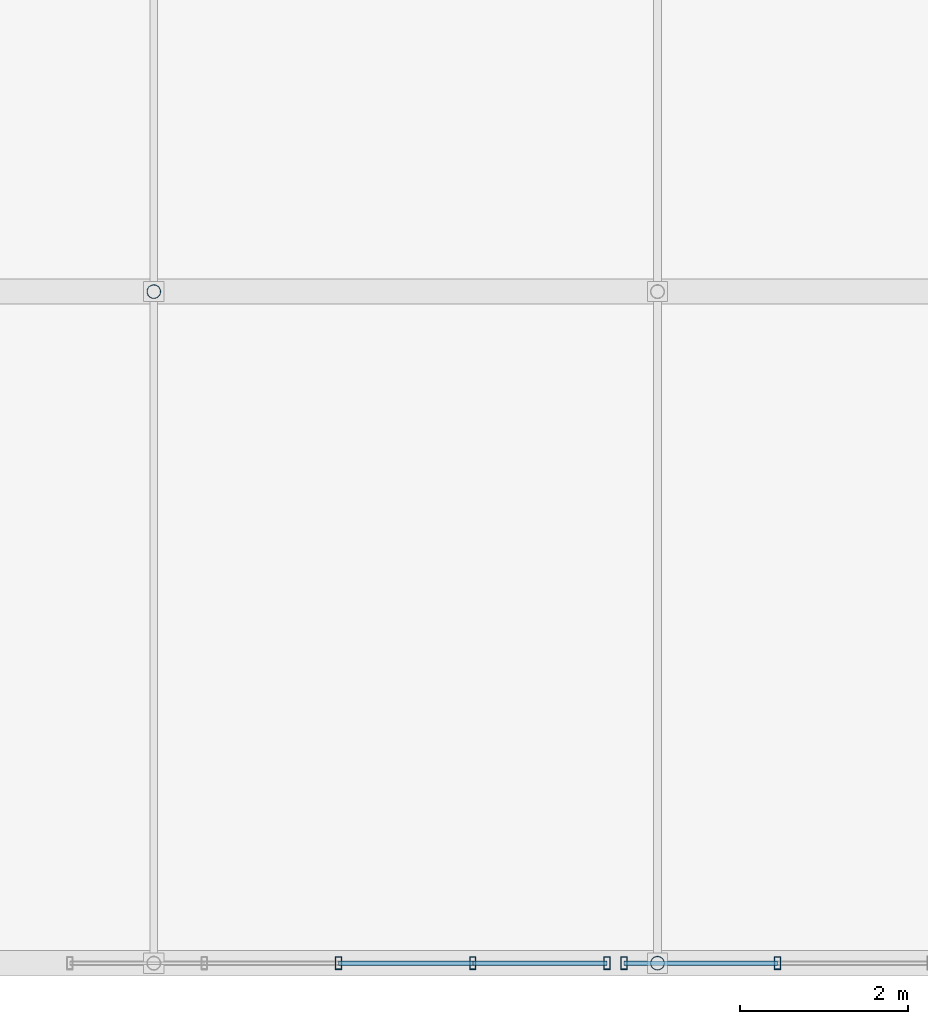
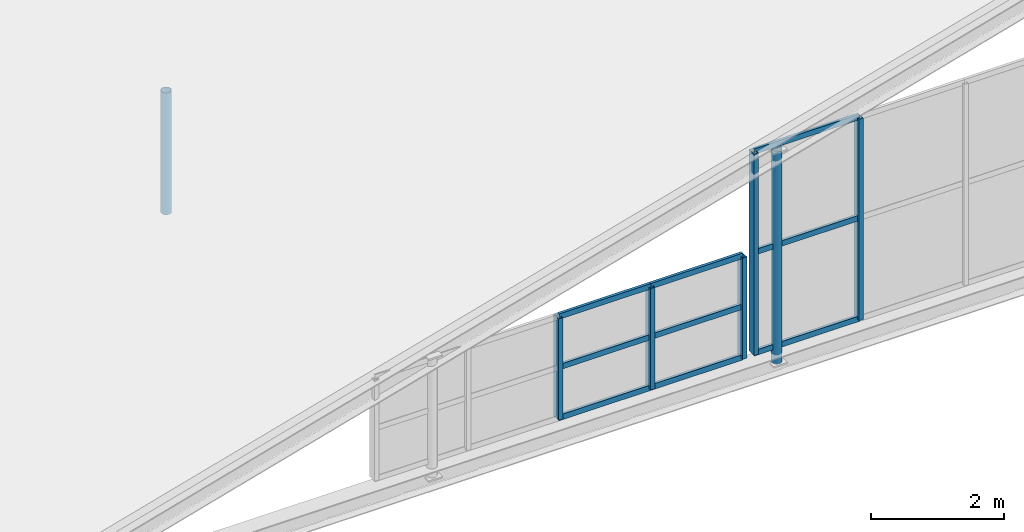
# One storey, part 5 of 49: 16 members, 2 elements without a shape of their own.
"""IFC4 building model written with IfcOpenShell, lengths in metres."""

from ifc_helpers import new_model, si_unit, direction, frame, origin, origin_2d, place, context, subcontext, project, spatial, hollow_rectangle, hollow_circle, extrude, material, material_profile, profile_set, type_object, element, aggregate, save


model = new_model("IFC4")

# Units and contexts
model_context = context("Model", 3, precision=1e-05, world=origin(), true_north=direction((0.0, 1.0)))
body_context = subcontext(model_context, "Body", "Model", "MODEL_VIEW")
ifc_project = project(units=[si_unit("LENGTHUNIT", "METRE"), si_unit("AREAUNIT", "SQUARE_METRE"), si_unit("VOLUMEUNIT", "CUBIC_METRE"), si_unit("PLANEANGLEUNIT", "RADIAN"), si_unit("MASSUNIT", "GRAM", prefix="KILO")], contexts=[model_context])

# Site, building, storey
site_placement = place(None, origin())
site = spatial("IfcSite", under=ifc_project, at=site_placement, CompositionType="ELEMENT")
building_placement = place(site_placement, origin())
building = spatial("IfcBuilding", under=site, at=building_placement, Name="Sundkrona Museum", CompositionType="ELEMENT")
storey_placement = place(building_placement, frame((0.0, 0.0, 26.0)))
storey = spatial("IfcBuildingStorey", under=building, at=storey_placement, Name="L05", CompositionType="ELEMENT", Elevation=26.0)

# Curtain wall, members
ifc_material_1 = material(Name="Unitised Aluminium-Steel and Ceramic-Clad Curtain Walling", Category="steel")
curtain_wall_type = type_object("IfcCurtainWallType", Name="CW-SW-240x13", PredefinedType="NOTDEFINED", material=ifc_material_1)
curtain_wall_1_placement = place(storey_placement, origin())
curtain_wall_1 = element("IfcCurtainWall", 1, at=curtain_wall_1_placement, inside=storey, type_object=curtain_wall_type, Name="Atrium S Glazed Gable Tympanum 2", PredefinedType="NOTDEFINED")
ifc_material_2 = material(Name="Aluminium EN AW-6060 T66", Category="aluminium")
ifc_material_profile_1 = material_profile(ifc_material_2, hollow_rectangle(XDim=0.074951171875, YDim=0.14990234375, WallThickness=0.00634765625, at=origin_2d()), Name="RHS 150x75x6.3")
ifc_profile_set_1 = profile_set([ifc_material_profile_1], Name="Aluminium EN AW-6060 T66")
member_type_1 = type_object("IfcMemberType", Name="ML-150", PredefinedType="MULLION", material=ifc_profile_set_1)
member_1_placement = place(storey_placement, frame((90.199951171875, 0.0, -0.10009765625), z_axis=(0.0, 0.0, 1.0), x_axis=(1.0, 0.0, 0.0)))
member_1 = element("IfcMember", 2, at=member_1_placement, type_object=member_type_1, Name="CW-ATR-GBL-S2 Mullion 03", PredefinedType="MULLION", context=body_context, shape_type="SweptSolid", body=[
    extrude(hollow_rectangle(XDim=0.074951171875, YDim=0.14990234375, WallThickness=0.00634765625, at=origin_2d()), origin(), (0.0, 0.0, 1.0), 1.864013671875),
])
member_2_placement = place(storey_placement, frame((91.800048828125, 0.0, -0.10009765625), z_axis=(0.0, 0.0, 1.0), x_axis=(1.0, 0.0, 0.0)))
member_2 = element("IfcMember", 3, at=member_2_placement, type_object=member_type_1, Name="CW-ATR-GBL-S2 Mullion 04", PredefinedType="MULLION", context=body_context, shape_type="SweptSolid", body=[
    extrude(hollow_rectangle(XDim=0.074951171875, YDim=0.14990234375, WallThickness=0.00634765625, at=origin_2d()), origin(), (0.0, 0.0, 1.0), 1.864013671875),
])
member_3_placement = place(storey_placement, frame((93.39990234375, 0.0, -0.10009765625), z_axis=(0.0, 0.0, 1.0), x_axis=(1.0, 0.0, 0.0)))
member_3 = element("IfcMember", 4, at=member_3_placement, type_object=member_type_1, Name="CW-ATR-GBL-S2 Mullion 05", PredefinedType="MULLION", context=body_context, shape_type="SweptSolid", body=[
    extrude(hollow_rectangle(XDim=0.074951171875, YDim=0.14990234375, WallThickness=0.00634765625, at=origin_2d()), origin(), (0.0, 0.0, 1.0), 1.864013671875),
])

curtain_wall_2_placement = place(storey_placement, origin())
curtain_wall_2 = element("IfcCurtainWall", 5, at=curtain_wall_2_placement, inside=storey, type_object=curtain_wall_type, Name="Atrium S Glazed Gable Tympanum 3", PredefinedType="NOTDEFINED")
member_4_placement = place(storey_placement, frame((93.60009765625, 0.0, -0.10009765625), z_axis=(0.0, 0.0, 1.0), x_axis=(1.0, 0.0, 0.0)))
member_4 = element("IfcMember", 6, at=member_4_placement, type_object=member_type_1, Name="CW-ATR-GBL-S3 Mullion 01", PredefinedType="MULLION", context=body_context, shape_type="SweptSolid", body=[
    extrude(hollow_rectangle(XDim=0.074951171875, YDim=0.14990234375, WallThickness=0.00634765625, at=origin_2d()), origin(), (0.0, 0.0, 1.0), 3.70703125),
])
member_5_placement = place(storey_placement, frame((95.4287109375, 0.0, -0.10009765625), z_axis=(0.0, 0.0, 1.0), x_axis=(1.0, 0.0, 0.0)))
member_5 = element("IfcMember", 7, at=member_5_placement, type_object=member_type_1, Name="CW-ATR-GBL-S3 Mullion 02", PredefinedType="MULLION", context=body_context, shape_type="SweptSolid", body=[
    extrude(hollow_rectangle(XDim=0.074951171875, YDim=0.14990234375, WallThickness=0.00634765625, at=origin_2d()), origin(), (0.0, 0.0, 1.0), 3.70703125),
])

# Members
ifc_material_3 = material(Name="Steel S355J2", Category="steel")
ifc_material_profile_2 = material_profile(ifc_material_3, hollow_circle(Radius=0.084228515625, WallThickness=0.008056640625, at=origin_2d()), Name="CHS 168.3x8.0")
ifc_profile_set_2 = profile_set([ifc_material_profile_2], Name="Steel S355J2")
member_type_2 = type_object("IfcMemberType", Name="ST-CHS168", PredefinedType="STRUT", material=ifc_profile_set_2)
member_6_placement = place(storey_placement, frame((94.0, 0.0, -0.39990234375), z_axis=(0.0, 0.0, 1.0), x_axis=(1.0, 0.0, 0.0)))
element("IfcMember", 8, at=member_6_placement, inside=storey, type_object=member_type_2, Name="RFS-1 Atrium Truss 1 Web Strut 94", PredefinedType="STRUT", context=body_context, shape_type="SweptSolid", body=[
    extrude(hollow_circle(Radius=0.084228515625, WallThickness=0.008056640625, at=origin_2d()), origin(), (0.0, 0.0, 1.0), 3.915771484375),
])
member_7_placement = place(storey_placement, frame((88.0, 8.0, -0.39990234375), z_axis=(0.0, 0.0, 1.0), x_axis=(1.0, 0.0, 0.0)))
element("IfcMember", 9, at=member_7_placement, inside=storey, type_object=member_type_2, Name="RFS-1 Atrium Truss 2 Web Strut 88", PredefinedType="STRUT", context=body_context, shape_type="SweptSolid", body=[
    extrude(hollow_circle(Radius=0.084228515625, WallThickness=0.008056640625, at=origin_2d()), origin(), (0.0, 0.0, 1.0), 2.237548828125),
])

# Member
ifc_material_profile_3 = material_profile(ifc_material_2, hollow_rectangle(XDim=0.050048828125, YDim=0.10009765625, WallThickness=0.0048828125, at=origin_2d()), Name="RHS 100x50x5.0")
ifc_profile_set_3 = profile_set([ifc_material_profile_3], Name="Aluminium EN AW-6060 T66")
member_type_3 = type_object("IfcMemberType", Name="TR-100", PredefinedType="USERDEFINED", material=ifc_profile_set_3)
member_8_placement = place(storey_placement, frame((90.199951171875, 0.0, -0.10009765625), z_axis=(1.0, 0.0, 0.0), x_axis=(0.0, 1.0, 0.0)))
member_8 = element("IfcMember", 10, at=member_8_placement, type_object=member_type_3, Name="CW-ATR-GBL-S2 Transom 07", ObjectType="TRANSOM", PredefinedType="USERDEFINED", context=body_context, shape_type="SweptSolid", body=[
    extrude(hollow_rectangle(XDim=0.050048828125, YDim=0.10009765625, WallThickness=0.0048828125, at=origin_2d()), origin(), (0.0, 0.0, 1.0), 1.60009765625),
])

member_9_placement = place(storey_placement, frame((90.199951171875, 0.0, 0.83203125), z_axis=(1.0, 0.0, 0.0), x_axis=(0.0, 1.0, 0.0)))
member_9 = element("IfcMember", 11, at=member_9_placement, type_object=member_type_3, Name="CW-ATR-GBL-S2 Transom 08", ObjectType="TRANSOM", PredefinedType="USERDEFINED", context=body_context, shape_type="SweptSolid", body=[
    extrude(hollow_rectangle(XDim=0.050048828125, YDim=0.10009765625, WallThickness=0.0048828125, at=origin_2d()), origin(), (0.0, 0.0, 1.0), 1.60009765625),
])

member_10_placement = place(storey_placement, frame((90.199951171875, 0.0, 1.763916015625), z_axis=(1.0, 0.0, 0.0), x_axis=(0.0, 1.0, 0.0)))
member_10 = element("IfcMember", 12, at=member_10_placement, type_object=member_type_3, Name="CW-ATR-GBL-S2 Transom 09", ObjectType="TRANSOM", PredefinedType="USERDEFINED", context=body_context, shape_type="SweptSolid", body=[
    extrude(hollow_rectangle(XDim=0.050048828125, YDim=0.10009765625, WallThickness=0.0048828125, at=origin_2d()), origin(), (0.0, 0.0, 1.0), 1.60009765625),
])

member_11_placement = place(storey_placement, frame((91.800048828125, 0.0, -0.10009765625), z_axis=(1.0, 0.0, 0.0), x_axis=(0.0, 1.0, 0.0)))
member_11 = element("IfcMember", 13, at=member_11_placement, type_object=member_type_3, Name="CW-ATR-GBL-S2 Transom 10", ObjectType="TRANSOM", PredefinedType="USERDEFINED", context=body_context, shape_type="SweptSolid", body=[
    extrude(hollow_rectangle(XDim=0.050048828125, YDim=0.10009765625, WallThickness=0.0048828125, at=origin_2d()), origin(), (0.0, 0.0, 1.0), 1.599853515625),
])

member_12_placement = place(storey_placement, frame((91.800048828125, 0.0, 0.83203125), z_axis=(1.0, 0.0, 0.0), x_axis=(0.0, 1.0, 0.0)))
member_12 = element("IfcMember", 14, at=member_12_placement, type_object=member_type_3, Name="CW-ATR-GBL-S2 Transom 11", ObjectType="TRANSOM", PredefinedType="USERDEFINED", context=body_context, shape_type="SweptSolid", body=[
    extrude(hollow_rectangle(XDim=0.050048828125, YDim=0.10009765625, WallThickness=0.0048828125, at=origin_2d()), origin(), (0.0, 0.0, 1.0), 1.599853515625),
])

member_13_placement = place(storey_placement, frame((91.800048828125, 0.0, 1.763916015625), z_axis=(1.0, 0.0, 0.0), x_axis=(0.0, 1.0, 0.0)))
member_13 = element("IfcMember", 15, at=member_13_placement, type_object=member_type_3, Name="CW-ATR-GBL-S2 Transom 12", ObjectType="TRANSOM", PredefinedType="USERDEFINED", context=body_context, shape_type="SweptSolid", body=[
    extrude(hollow_rectangle(XDim=0.050048828125, YDim=0.10009765625, WallThickness=0.0048828125, at=origin_2d()), origin(), (0.0, 0.0, 1.0), 1.599853515625),
])

aggregate(curtain_wall_1, [member_1, member_2, member_3, member_8, member_9, member_10, member_11, member_12, member_13])

member_14_placement = place(storey_placement, frame((93.60009765625, 0.0, -0.10009765625), z_axis=(1.0, 0.0, 0.0), x_axis=(0.0, 1.0, 0.0)))
member_14 = element("IfcMember", 16, at=member_14_placement, type_object=member_type_3, Name="CW-ATR-GBL-S3 Transom 01", ObjectType="TRANSOM", PredefinedType="USERDEFINED", context=body_context, shape_type="SweptSolid", body=[
    extrude(hollow_rectangle(XDim=0.050048828125, YDim=0.10009765625, WallThickness=0.0048828125, at=origin_2d()), origin(), (0.0, 0.0, 1.0), 1.82861328125),
])

member_15_placement = place(storey_placement, frame((93.60009765625, 0.0, 1.7529296875), z_axis=(1.0, 0.0, 0.0), x_axis=(0.0, 1.0, 0.0)))
member_15 = element("IfcMember", 17, at=member_15_placement, type_object=member_type_3, Name="CW-ATR-GBL-S3 Transom 02", ObjectType="TRANSOM", PredefinedType="USERDEFINED", context=body_context, shape_type="SweptSolid", body=[
    extrude(hollow_rectangle(XDim=0.050048828125, YDim=0.10009765625, WallThickness=0.0048828125, at=origin_2d()), origin(), (0.0, 0.0, 1.0), 1.82861328125),
])

member_16_placement = place(storey_placement, frame((93.60009765625, 0.0, 3.60693359375), z_axis=(1.0, 0.0, 0.0), x_axis=(0.0, 1.0, 0.0)))
member_16 = element("IfcMember", 18, at=member_16_placement, type_object=member_type_3, Name="CW-ATR-GBL-S3 Transom 03", ObjectType="TRANSOM", PredefinedType="USERDEFINED", context=body_context, shape_type="SweptSolid", body=[
    extrude(hollow_rectangle(XDim=0.050048828125, YDim=0.10009765625, WallThickness=0.0048828125, at=origin_2d()), origin(), (0.0, 0.0, 1.0), 1.82861328125),
])

aggregate(curtain_wall_2, [member_4, member_5, member_14, member_15, member_16])

save(model, "model.ifc")
